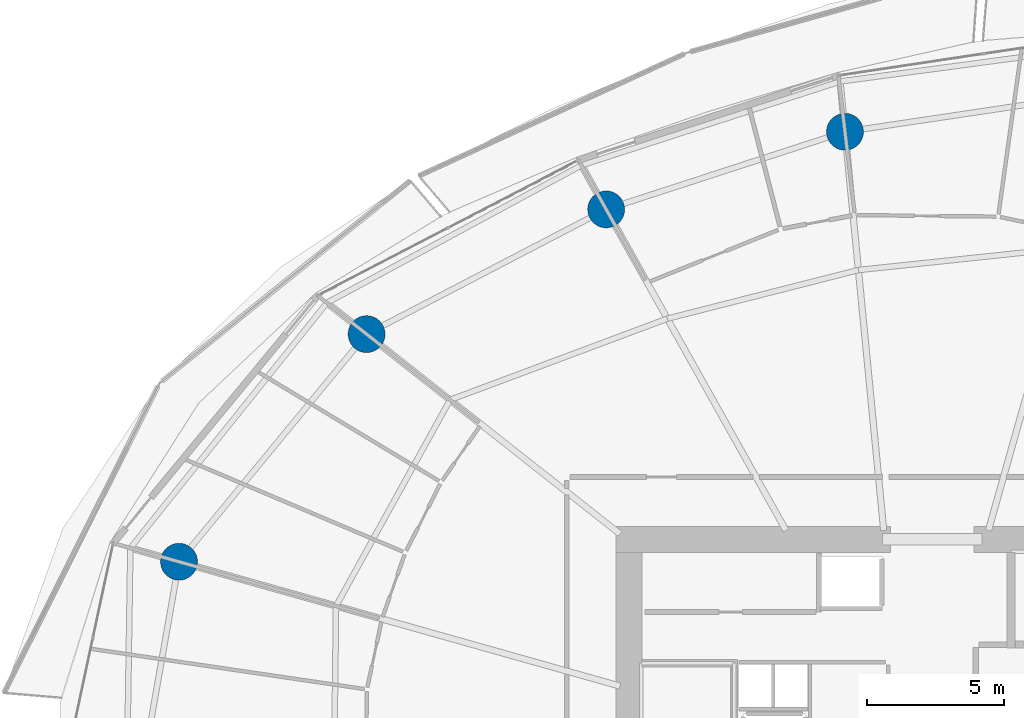
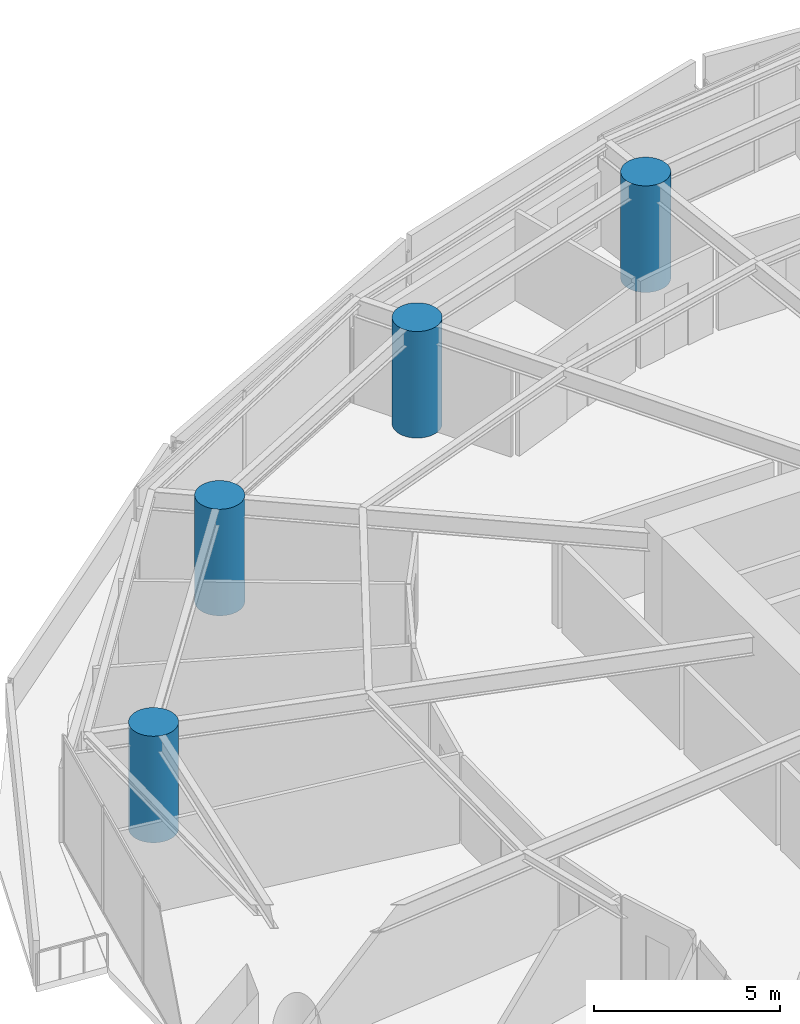
# One storey, part 4 of 31: 4 columns.
"""IFC4 building model written with IfcOpenShell, lengths in metres."""

from ifc_helpers import new_model, si_unit, direction, frame, origin, origin_2d, place, context, subcontext, project, spatial, circle, extrude, material, material_profile, profile_set, type_object, element, save


model = new_model("IFC4")

# Units and contexts
model_context = context("Model", 3, precision=1e-05, world=origin(), true_north=direction((0.0, 1.0)))
body_context = subcontext(model_context, "Body", "Model", "MODEL_VIEW")
ifc_project = project(units=[si_unit("LENGTHUNIT", "METRE"), si_unit("AREAUNIT", "SQUARE_METRE"), si_unit("VOLUMEUNIT", "CUBIC_METRE"), si_unit("PLANEANGLEUNIT", "RADIAN"), si_unit("MASSUNIT", "GRAM", prefix="KILO")], contexts=[model_context])

# Site, building, storey
site_placement = place(None, origin())
site = spatial("IfcSite", under=ifc_project, at=site_placement, CompositionType="ELEMENT")
building_placement = place(site_placement, origin())
building = spatial("IfcBuilding", under=site, at=building_placement, Name="Kazma Halo Residences", CompositionType="ELEMENT")
storey_placement = place(building_placement, frame((0.0, 0.0, 33.89990234375)))
storey = spatial("IfcBuildingStorey", under=building, at=storey_placement, Name="L07", CompositionType="ELEMENT", Elevation=33.89990234375)

# Columns
ifc_material = material(Name="Concrete C80/95", Category="concrete")
ifc_material_profile = material_profile(ifc_material, circle(Radius=0.675048828125, at=origin_2d()), Name="CIRC1350")
ifc_profile_set = profile_set([ifc_material_profile], Name="Concrete C80/95")
column_type = type_object("IfcColumnType", Name="COL-PERIM-1350", PredefinedType="COLUMN", material=ifc_profile_set)
for number, where, z_axis, x_axis, name in (
    (1, (45.231689453125, 65.389404296875, 0.0), (0.0, 0.0, 1.0), (1.0, 0.0, 0.0), "L07 perimeter ring column P04"),
    (2, (36.49169921875, 62.549560546875, 0.0), (0.0, 0.0, 1.0), (1.0, 0.0, 0.0), "L07 perimeter ring column P05"),
    (3, (27.72412109375, 57.984130859375, 0.0), (0.0, 0.0, 1.0), (1.0, 0.0, 0.0), "L07 perimeter ring column P06"),
    (4, (20.859130859375, 49.654541015625, 0.0), (0.0, 0.0, 1.0), (1.0, 0.0, 0.0), "L07 perimeter ring column P07"),
):
    element("IfcColumn", number, at=place(storey_placement, frame(where, z_axis=z_axis, x_axis=x_axis)), inside=storey, type_object=column_type, Name=name, PredefinedType="COLUMN", context=body_context, shape_type="SweptSolid", body=[
        extrude(circle(Radius=0.675048828125, at=origin_2d()), origin(), (0.0, 0.0, 1.0), 3.5),
    ])

save(model, "model.ifc")
